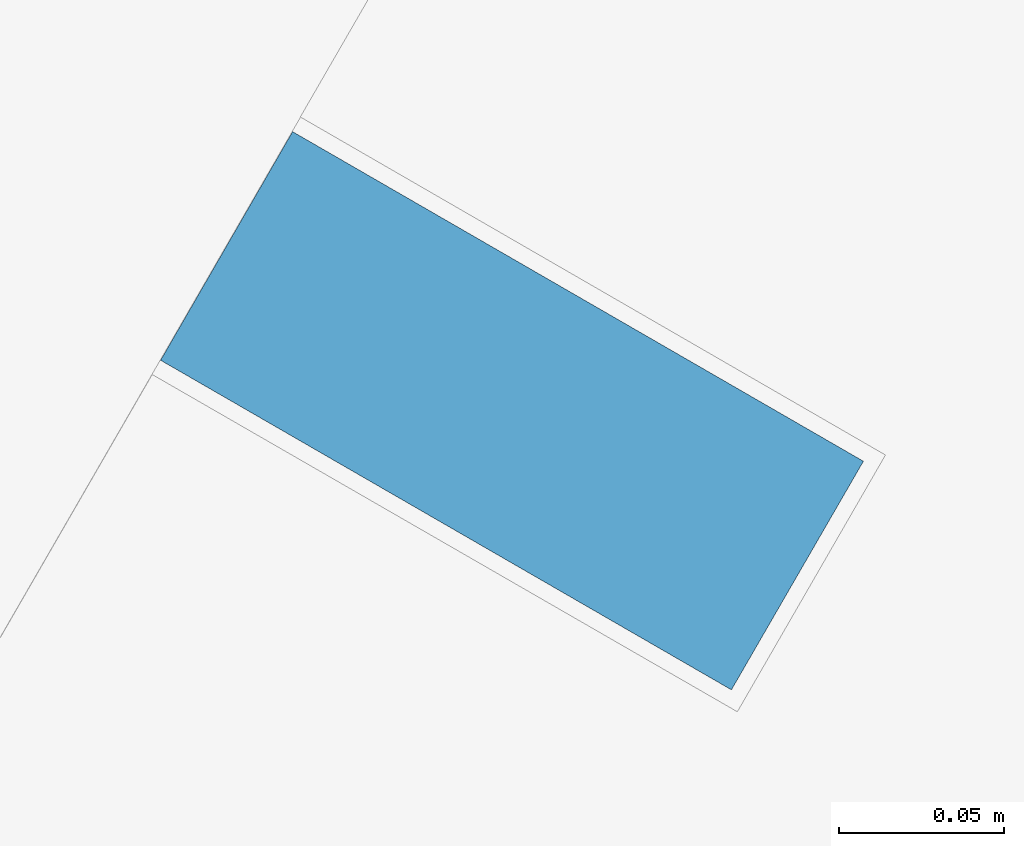
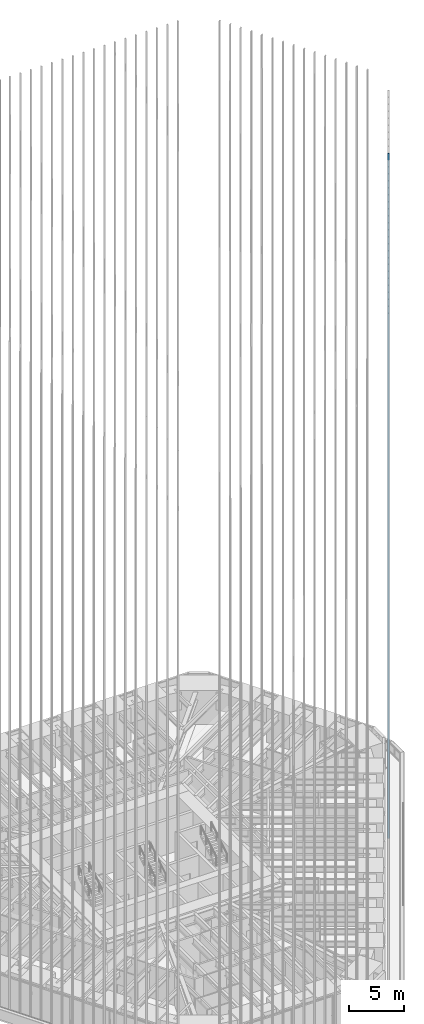
# One storey, part 107 of 238: 1 member, 1 element without a shape of its own.
"""IFC4 building model written with IfcOpenShell, lengths in metres."""

import ifcopenshell
import ifcopenshell.guid

model = None  # the IFC model being written
_history = None  # IfcOwnerHistory: only IFC2X3 demands one
_inside = {}  # id of a spatial element -> (the spatial element, [elements in it])
_under = {}  # id of a project, library or spatial element -> (it, [spatial elements below it])
_declared = {}  # id of a project -> (the project, [libraries it declares])
_typed = {}  # id of a type object -> (the type object, [elements of that type])
_made_of = {}  # id of a material, layer set ... -> (it, [elements and type objects made of it])


def new_model(schema):
    """Start an empty IFC model of exactly this schema.

    Asked for "IFC4X3", IfcOpenShell would pick the latest addendum, in which some entities
    have other attributes; the version numbers below select the first issue.
    IFC2X3 requires an IfcOwnerHistory on every rooted entity: one is made here for all.
    """
    global model, _history
    if schema == "IFC4X3":
        model = ifcopenshell.file(schema_version=(4, 3, 0, 0))
    else:
        model = ifcopenshell.file(schema=schema)
    _inside.clear()
    _under.clear()
    _declared.clear()
    _typed.clear()
    _made_of.clear()
    _history = None
    if model.schema == "IFC2X3":
        org = make("IfcOrganization", Name="unknown")
        user = make(
            "IfcPersonAndOrganization",
            ThePerson=make("IfcPerson", FamilyName="unknown"),
            TheOrganization=org,
        )
        app = make(
            "IfcApplication",
            ApplicationDeveloper=org,
            Version="unknown",
            ApplicationFullName="unknown",
            ApplicationIdentifier="unknown",
        )
        _history = make(
            "IfcOwnerHistory",
            OwningUser=user,
            OwningApplication=app,
            ChangeAction="ADDED",
            CreationDate=0,
        )
    return model


def make(cls, **values):
    """One entity of the class cls with the attributes given. An attribute that is None is left unset."""
    return model.create_entity(
        cls, **{name: value for name, value in values.items() if value is not None}
    )


def rooted(cls, **values):
    """An entity with a GlobalId (a new one), such as an element, a storey or a relation."""
    return make(cls, GlobalId=ifcopenshell.guid.new(), OwnerHistory=_history, **values)


def si_unit(unit_type, name, prefix=None):
    """IfcSIUnit, for example si_unit("LENGTHUNIT", "METRE", prefix="MILLI")."""
    return make("IfcSIUnit", UnitType=unit_type, Prefix=prefix, Name=name)


def assignment(units):
    """IfcUnitAssignment: the units of a project."""
    return None if units is None else make("IfcUnitAssignment", Units=units)


def point(xyz):
    """IfcCartesianPoint."""
    return None if xyz is None else make("IfcCartesianPoint", Coordinates=xyz)


def direction(xyz):
    """IfcDirection."""
    return None if xyz is None else make("IfcDirection", DirectionRatios=xyz)


def frame(location, z_axis=None, x_axis=None):
    """IfcAxis2Placement3D, a coordinate frame: its origin and axes. An axis left out is left unset."""
    return make(
        "IfcAxis2Placement3D",
        Location=point(location),
        Axis=direction(z_axis),
        RefDirection=direction(x_axis),
    )


def frame_2d(location, x_axis=None):
    """IfcAxis2Placement2D, a coordinate frame in the plane: its origin and x axis."""
    return make(
        "IfcAxis2Placement2D", Location=point(location), RefDirection=direction(x_axis)
    )


def origin():
    """The frame at (0, 0, 0) with its axes left unset."""
    return frame((0.0, 0.0, 0.0))


def origin_2d():
    """The frame at (0, 0) in the plane with its x axis left unset."""
    return frame_2d((0.0, 0.0))


def place(relative_to, where):
    """IfcLocalPlacement: puts the frame where relative to a parent placement (None: the world)."""
    return make(
        "IfcLocalPlacement", PlacementRelTo=relative_to, RelativePlacement=where
    )


def context(
    kind, dimensions, precision=None, world=None, true_north=None, identifier=None
):
    """IfcGeometricRepresentationContext, for example the 3D "Model" context."""
    return make(
        "IfcGeometricRepresentationContext",
        ContextIdentifier=identifier,
        ContextType=kind,
        CoordinateSpaceDimension=dimensions,
        Precision=precision,
        WorldCoordinateSystem=world,
        TrueNorth=true_north,
    )


def subcontext(parent, identifier, kind, view, scale=None):
    """IfcGeometricRepresentationSubContext, for example "Body" below "Model"."""
    return make(
        "IfcGeometricRepresentationSubContext",
        ContextIdentifier=identifier,
        ContextType=kind,
        ParentContext=parent,
        TargetScale=scale,
        TargetView=view,
    )


def project(units=None, contexts=None):
    """IfcProject with its units and contexts."""
    return rooted(
        "IfcProject",
        Name="project",
        RepresentationContexts=contexts,
        UnitsInContext=assignment(units),
    )


def spatial(cls, under=None, at=None, **own):
    """A site, building, storey or space (cls), placed at a placement, below another one or the project."""
    s = rooted(cls, ObjectPlacement=at, **own)
    if under is not None:
        _under.setdefault(under.id(), (under, []))[1].append(s)
    return s


def profile(cls, at=None, kind="AREA", **sizes):
    """A parametric profile (cls). Its sizes go by their IFC names, for example OverallWidth=200.0."""
    return make(cls, ProfileType=kind, Position=at, **sizes)


def rectangle(**sizes):
    """IfcRectangleProfileDef."""
    return profile("IfcRectangleProfileDef", **sizes)


def extrude(swept, where, along, depth):
    """IfcExtrudedAreaSolid: the profile swept, set in the frame where, extruded along a direction by depth."""
    return make(
        "IfcExtrudedAreaSolid",
        SweptArea=swept,
        Position=where,
        ExtrudedDirection=direction(along),
        Depth=depth,
    )


def shape(context_of_items, identifier, shape_type, items):
    """IfcShapeRepresentation: the items that make up one representation, for example the "Body"."""
    return make(
        "IfcShapeRepresentation",
        ContextOfItems=context_of_items,
        RepresentationIdentifier=identifier,
        RepresentationType=shape_type,
        Items=items,
    )


def material(Name=None, Category=None):
    """IfcMaterial."""
    return make("IfcMaterial", Name=Name, Category=Category)


def material_profile(
    of_material, cross_section, Name=None, Category=None, Priority=None
):
    """IfcMaterialProfile: a cross section and its material."""
    return make(
        "IfcMaterialProfile",
        Name=Name,
        Material=of_material,
        Profile=cross_section,
        Priority=Priority,
        Category=Category,
    )


def profile_set(profiles, Name=None, composite=None):
    """IfcMaterialProfileSet."""
    return make(
        "IfcMaterialProfileSet",
        Name=Name,
        MaterialProfiles=profiles,
        CompositeProfile=composite,
    )


def made_of(thing, what):
    """Note that an element or type object is made of a material, layer set ...; save() writes the relation."""
    if what is not None:
        _made_of.setdefault(what.id(), (what, []))[1].append(thing)
    return thing


def type_object(cls, material=None, **own):
    """A type object (cls), such as IfcWallType, which elements share."""
    return made_of(rooted(cls, **own), material)


def element(
    cls,
    number,
    at=None,
    inside=None,
    cuts=None,
    type_object=None,
    material=None,
    context=None,
    identifier="Body",
    shape_type=None,
    held_by="IfcProductDefinitionShape",
    body=None,
    shapes=None,
    **own,
):
    """One element of the class cls, such as IfcWall. Its Tag is "e" and its number.

    at: its placement. inside: the storey or other place that contains it. cuts: it is an
    opening in that element (IfcRelVoidsElement). A single representation is given by context,
    identifier, shape_type and body (its items); several are given by shapes. held_by: the class
    of the entity that holds the representations. save() writes the other relations.
    """
    e = rooted(cls, Tag="e%d" % number, ObjectPlacement=at, **own)
    if body is not None:
        shapes = [shape(context, identifier, shape_type, body)]
    if shapes is not None:
        e.Representation = make(held_by, Representations=shapes)
    if inside is not None:
        _inside.setdefault(inside.id(), (inside, []))[1].append(e)
    if cuts is not None:
        rooted(
            "IfcRelVoidsElement", RelatingBuildingElement=cuts, RelatedOpeningElement=e
        )
    if type_object is not None:
        _typed.setdefault(type_object.id(), (type_object, []))[1].append(e)
    return made_of(e, material)


def aggregate(whole, parts):
    """IfcRelAggregates: a whole, such as a stair, and the parts it consists of."""
    return rooted("IfcRelAggregates", RelatingObject=whole, RelatedObjects=parts)


def save(model, path):
    """Write the relations noted so far, then the file.

    IfcRelAggregates (storeys below a building ...), IfcRelContainedInSpatialStructure (elements
    in a storey), IfcRelDefinesByType, IfcRelAssociatesMaterial and IfcRelDeclares: one each for
    every whole, place, type object, material and project.
    """
    for whole, parts in _under.values():
        aggregate(whole, parts)
    for where, things in _inside.values():
        rooted(
            "IfcRelContainedInSpatialStructure",
            RelatedElements=things,
            RelatingStructure=where,
        )
    for kind, things in _typed.values():
        rooted("IfcRelDefinesByType", RelatedObjects=things, RelatingType=kind)
    for what, things in _made_of.values():
        rooted("IfcRelAssociatesMaterial", RelatedObjects=things, RelatingMaterial=what)
    for by, libraries in _declared.values():
        rooted("IfcRelDeclares", RelatingContext=by, RelatedDefinitions=libraries)
    model.write(path)


model = new_model("IFC4")

# Units and contexts
model_context = context("Model", 3, precision=1e-05, world=origin(), true_north=direction((0.0, 1.0)))
body_context = subcontext(model_context, "Body", "Model", "MODEL_VIEW")
ifc_project = project(units=[si_unit("LENGTHUNIT", "METRE"), si_unit("AREAUNIT", "SQUARE_METRE"), si_unit("VOLUMEUNIT", "CUBIC_METRE"), si_unit("PLANEANGLEUNIT", "RADIAN"), si_unit("MASSUNIT", "GRAM", prefix="KILO")], contexts=[model_context])

# Site, building, storey
site_placement = place(None, origin())
site = spatial("IfcSite", under=ifc_project, at=site_placement, CompositionType="ELEMENT")
building_placement = place(site_placement, origin())
building = spatial("IfcBuilding", under=site, at=building_placement, Name="Sandreach Pilgrim Tower", CompositionType="ELEMENT")
storey_placement = place(building_placement, frame((0.0, 0.0, 96.800048828125)))
storey = spatial("IfcBuildingStorey", under=building, at=storey_placement, Name="L23", CompositionType="ELEMENT", Elevation=96.800048828125)

# Curtain wall, member
ifc_material_1 = material(Name="Aluminium framed curtain wall", Category="aluminium")
curtain_wall_type = type_object("IfcCurtainWallType", Name="Hotel tower curtain wall", PredefinedType="NOTDEFINED", material=ifc_material_1)
curtain_wall_placement = place(storey_placement, origin())
curtain_wall = element("IfcCurtainWall", 1, at=curtain_wall_placement, inside=storey, type_object=curtain_wall_type, Name="CW-2 L23 SE", PredefinedType="NOTDEFINED")
ifc_material_2 = material(Name="Extruded terracotta on aluminium core", Category="masonry")
ifc_material_profile = material_profile(ifc_material_2, rectangle(XDim=0.080078125, YDim=0.199951171875, at=origin_2d()), Name="TBE 80X200")
ifc_profile_set = profile_set([ifc_material_profile], Name="Extruded terracotta on aluminium core")
member_type = type_object("IfcMemberType", Name="Terracotta baguette east", PredefinedType="USERDEFINED", material=ifc_profile_set)
member_placement = place(storey_placement, frame((23.67919921875, -4.774169921875, 0.0), z_axis=(0.0, 0.0, 1.0), x_axis=(-0.5, -0.866025403784, 0.0)))
member = element("IfcMember", 2, at=member_placement, type_object=member_type, Name="Baguette Z2 SE10", ObjectType="BAGUETTE", PredefinedType="USERDEFINED", context=body_context, shape_type="SweptSolid", body=[
    extrude(rectangle(XDim=0.080078125, YDim=0.199951171875, at=origin_2d()), origin(), (0.0, 0.0, 1.0), 75.83984375),
])
aggregate(curtain_wall, [member])

save(model, "model.ifc")
